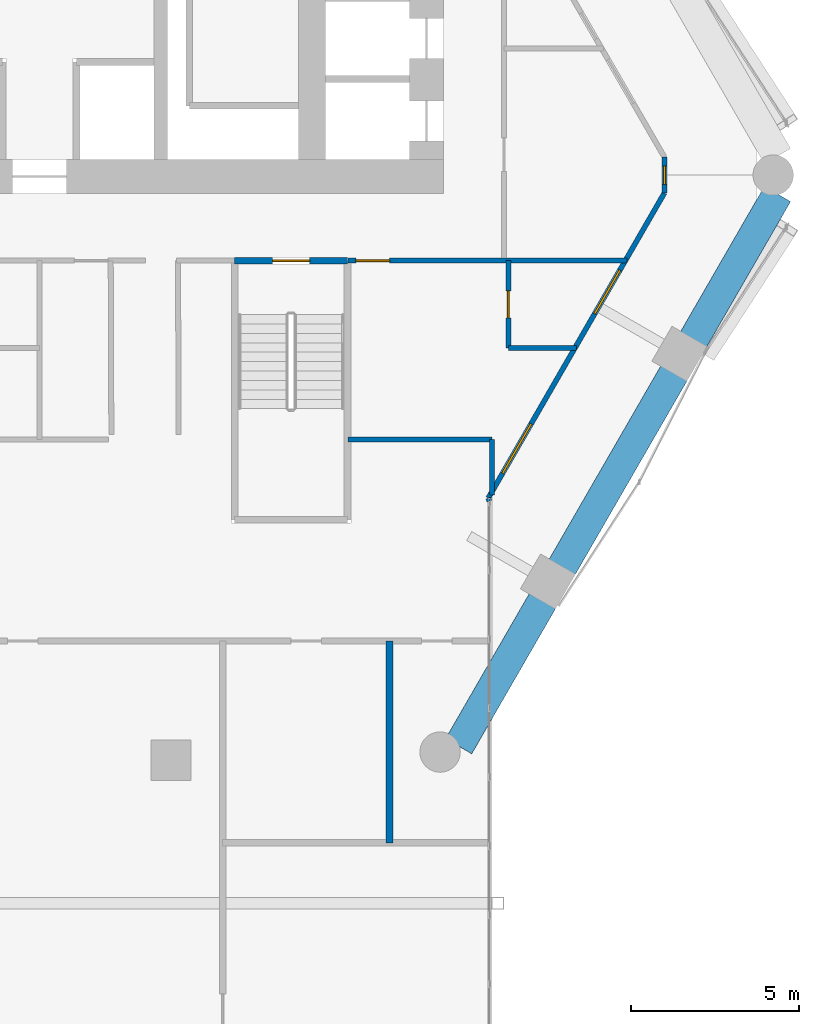
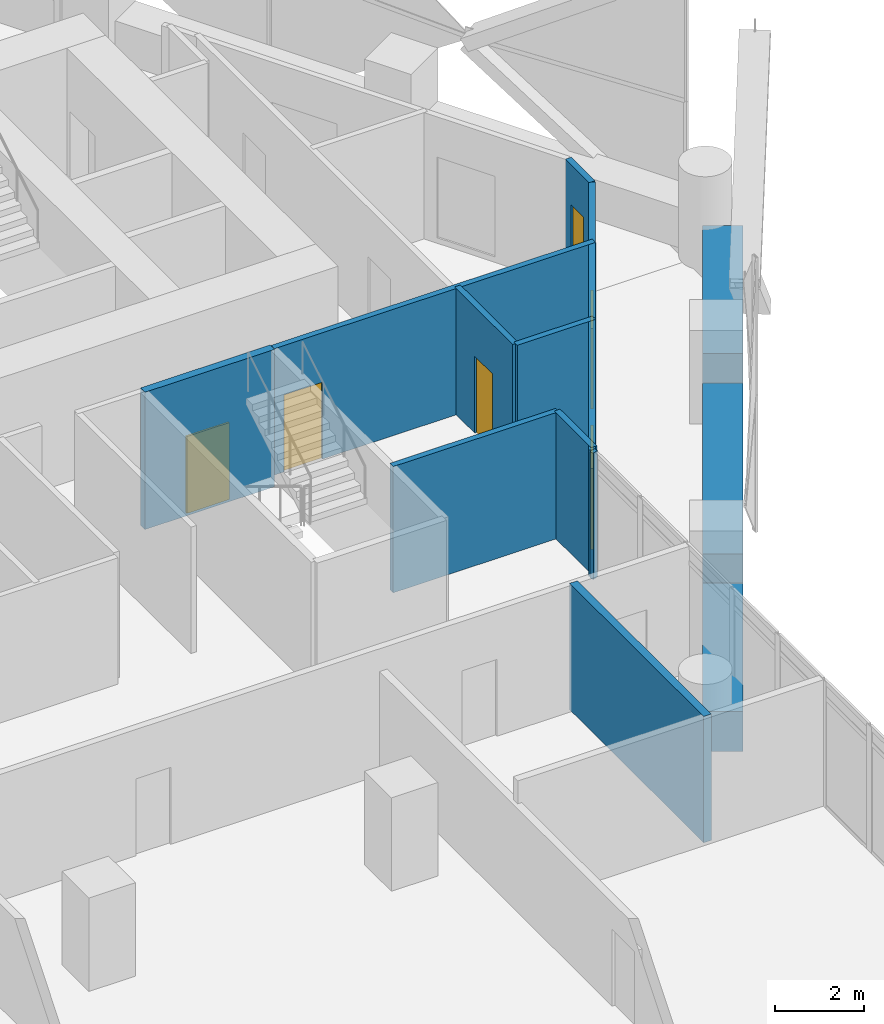
# One storey, part 28 of 36: 13 walls, 3 doors, 3 windows, 6 openings.
"""IFC4 building model written with IfcOpenShell, lengths in metres."""

from ifc_helpers import new_model, si_unit, direction, frame, frame_2d, origin, place, context, subcontext, project, spatial, rectangle, extrude, material, layer, layer_set, type_object, element, fill, save


model = new_model("IFC4")

# Units and contexts
model_context = context("Model", 3, precision=1e-05, world=origin(), true_north=direction((0.0, 1.0)))
body_context = subcontext(model_context, "Body", "Model", "MODEL_VIEW")
ifc_project = project(units=[si_unit("LENGTHUNIT", "METRE"), si_unit("AREAUNIT", "SQUARE_METRE"), si_unit("VOLUMEUNIT", "CUBIC_METRE"), si_unit("PLANEANGLEUNIT", "RADIAN"), si_unit("MASSUNIT", "GRAM", prefix="KILO")], contexts=[model_context])

# Site, building, storey
site_placement = place(None, origin())
site = spatial("IfcSite", under=ifc_project, at=site_placement, CompositionType="ELEMENT")
building_placement = place(site_placement, origin())
building = spatial("IfcBuilding", under=site, at=building_placement, Name="Ostrander Bayou Hotel Tower", CompositionType="ELEMENT")
storey_placement = place(building_placement, frame((0.0, 0.0, 138.5)))
storey = spatial("IfcBuildingStorey", under=building, at=storey_placement, Name="L34", CompositionType="ELEMENT", Elevation=138.5)

# Wall, openings, windows
ifc_material_1 = material(Name="Aluminium framed insulated wall", Category="aluminium")
ifc_layer_1 = layer(ifc_material_1, 0.14990234375)
ifc_layer_set_1 = layer_set([ifc_layer_1], Name="GW1 glass-line wall 150 mm")
wall_type_1 = type_object("IfcWallType", Name="GW1 glass-line wall 150 mm", PredefinedType="SOLIDWALL", material=ifc_layer_set_1)
wall_1_placement = place(storey_placement, frame((13.333984375, -10.7548828125, 0.0), z_axis=(0.0, 0.0, 1.0), x_axis=(0.499994317138, 0.866028684761, 0.0)))
wall_1 = element("IfcWall", 1, at=wall_1_placement, inside=storey, type_object=wall_type_1, Name="GW1 L34 SE 1", PredefinedType="SOLIDWALL", context=body_context, shape_type="SweptSolid", body=[
    extrude(rectangle(XDim=10.46826171875, YDim=0.14990234375, at=frame_2d((5.234130859375, 0.0))), origin(), (0.0, 0.0, 1.0), 3.449951171875),
])
opening_1_placement = place(wall_1_placement, frame((0.84716796875, 0.0, 0.14990234375)))
opening_1 = element("IfcOpeningElement", 2, at=opening_1_placement, cuts=wall_1, Name="Opening W8", PredefinedType="OPENING", context=body_context, shape_type="SweptSolid", body=[
    extrude(rectangle(XDim=1.699951171875, YDim=2.199951171875, at=frame_2d((0.85009765625, 1.10009765625))), frame((0.0, 0.074951171875, 0.0), z_axis=(0.0, -1.0, 0.0), x_axis=(1.0, 0.0, 0.0)), (0.0, 0.0, 1.0), 0.14990234375),
])
opening_2_placement = place(wall_1_placement, frame((6.322265625, 0.0, 0.14990234375)))
opening_2 = element("IfcOpeningElement", 3, at=opening_2_placement, cuts=wall_1, Name="Opening W12", PredefinedType="OPENING", context=body_context, shape_type="SweptSolid", body=[
    extrude(rectangle(XDim=1.5, YDim=2.199951171875, at=frame_2d((0.75, 1.10009765625))), frame((0.0, 0.074951171875, 0.0), z_axis=(0.0, -1.0, 0.0), x_axis=(1.0, 0.0, 0.0)), (0.0, 0.0, 1.0), 0.14990234375),
])
ifc_material_2 = material(Name="Aluminium and clear glass", Category="aluminium")
window_type_1 = type_object("IfcWindowType", Name="W12 fixed window 1500 mm, bath bay, zone 2", PartitioningType="SINGLE_PANEL", PredefinedType="WINDOW", material=ifc_material_2)
window_1_placement = place(opening_2_placement, origin())
window_1 = element("IfcWindow", 4, at=window_1_placement, inside=storey, type_object=window_type_1, Name="W12 L34 SE 3", OverallHeight=2.199951171875, OverallWidth=1.5, PartitioningType="SINGLE_PANEL", PredefinedType="WINDOW", context=body_context, shape_type="SweptSolid", body=[
    extrude(rectangle(XDim=1.5, YDim=2.199951171875, at=frame_2d((0.75, 1.10009765625))), frame((0.0, 0.030029296875, 0.0), z_axis=(0.0, -1.0, 0.0), x_axis=(1.0, 0.0, 0.0)), (0.0, 0.0, 1.0), 0.06005859375),
])
fill(opening_2, window_1)
ifc_material_3 = material(Name="Aluminium and clear glass", Category="aluminium")
window_type_2 = type_object("IfcWindowType", Name="W8 fixed window 1700 mm, bar storeys, zone 2", PartitioningType="SINGLE_PANEL", PredefinedType="WINDOW", material=ifc_material_3)
window_2_placement = place(opening_1_placement, origin())
window_2 = element("IfcWindow", 5, at=window_2_placement, inside=storey, type_object=window_type_2, Name="W8 L34 SE 2", OverallHeight=2.199951171875, OverallWidth=1.699951171875, PartitioningType="SINGLE_PANEL", PredefinedType="WINDOW", context=body_context, shape_type="SweptSolid", body=[
    extrude(rectangle(XDim=1.699951171875, YDim=2.199951171875, at=frame_2d((0.85009765625, 1.10009765625))), frame((0.0, 0.030029296875, 0.0), z_axis=(0.0, -1.0, 0.0), x_axis=(1.0, 0.0, 0.0)), (0.0, 0.0, 1.0), 0.06005859375),
])
fill(opening_1, window_2)

# Wall, opening, window
wall_2_placement = place(storey_placement, frame((18.568115234375, -1.68896484375, 0.0), z_axis=(0.0, 0.0, 1.0), x_axis=(0.0, 1.0, 0.0)))
wall_2 = element("IfcWall", 6, at=wall_2_placement, inside=storey, type_object=wall_type_1, Name="GW1 L34 corner 5", PredefinedType="SOLIDWALL", context=body_context, shape_type="SweptSolid", body=[
    extrude(rectangle(XDim=1.06494140625, YDim=0.14990234375, at=frame_2d((0.532470703125, 0.0))), origin(), (0.0, 0.0, 1.0), 3.449951171875),
])
opening_3_placement = place(wall_2_placement, frame((0.257568359375, 0.0, 0.14990234375)))
opening_3 = element("IfcOpeningElement", 7, at=opening_3_placement, cuts=wall_2, Name="Opening W19", PredefinedType="OPENING", context=body_context, shape_type="SweptSolid", body=[
    extrude(rectangle(XDim=0.550048828125, YDim=2.199951171875, at=frame_2d((0.27490234375, 1.10009765625))), frame((0.0, 0.074951171875, 0.0), z_axis=(0.0, -1.0, 0.0), x_axis=(1.0, 0.0, 0.0)), (0.0, 0.0, 1.0), 0.14990234375),
])
ifc_material_4 = material(Name="Aluminium and clear glass", Category="aluminium")
window_type_3 = type_object("IfcWindowType", Name="W19 corner window 550 mm", PartitioningType="SINGLE_PANEL", PredefinedType="WINDOW", material=ifc_material_4)
window_3_placement = place(opening_3_placement, origin())
window_3 = element("IfcWindow", 8, at=window_3_placement, inside=storey, type_object=window_type_3, Name="W19 L34 corner 5", OverallHeight=2.199951171875, OverallWidth=0.550048828125, PartitioningType="SINGLE_PANEL", PredefinedType="WINDOW", context=body_context, shape_type="SweptSolid", body=[
    extrude(rectangle(XDim=0.550048828125, YDim=2.199951171875, at=frame_2d((0.27490234375, 1.10009765625))), frame((0.0, 0.030029296875, 0.0), z_axis=(0.0, -1.0, 0.0), x_axis=(1.0, 0.0, 0.0)), (0.0, 0.0, 1.0), 0.06005859375),
])
fill(opening_3, window_3)

# Walls
wall_3_placement = place(storey_placement, frame((13.333984375, -10.7548828125, 0.0), z_axis=(0.0, 0.0, 1.0), x_axis=(0.337751931921, -0.941235163221, 0.0)))
element("IfcWall", 9, at=wall_3_placement, inside=storey, type_object=wall_type_1, Name="GW1 L34 bar joint 2", PredefinedType="SOLIDWALL", context=body_context, shape_type="SweptSolid", body=[
    extrude(rectangle(XDim=0.098388671875, YDim=0.14990234375, at=frame_2d((0.04931640625, 0.0))), origin(), (0.0, 0.0, 1.0), 3.449951171875),
])
ifc_material_5 = material(Name="Limestone masonry", Category="masonry")
ifc_layer_2 = layer(ifc_material_5, 0.89990234375)
ifc_layer_set_2 = layer_set([ifc_layer_2], Name="PA2 limestone parapet 900 mm")
wall_type_2 = type_object("IfcWallType", Name="PA2 limestone parapet 900 mm", PredefinedType="PARAPET", material=ifc_layer_set_2)
wall_4_placement = place(storey_placement, frame((12.45361328125, -18.1298828125, 0.0), z_axis=(0.0, 0.0, 1.0), x_axis=(0.499974782844, 0.866039962427, 0.0)))
element("IfcWall", 10, at=wall_4_placement, inside=storey, type_object=wall_type_2, Name="PA2 L34 SE-1", PredefinedType="PARAPET", context=body_context, shape_type="SweptSolid", body=[
    extrude(rectangle(XDim=4.997314453125, YDim=0.89990234375, at=frame_2d((2.49853515625, 0.0))), origin(), (0.0, 0.0, 1.0), 1.10009765625),
])
wall_5_placement = place(storey_placement, frame((15.522216796875, -12.814697265625, 0.0), z_axis=(0.0, 0.0, 1.0), x_axis=(0.499999023957, 0.866025967302, 0.0)))
element("IfcWall", 11, at=wall_5_placement, inside=storey, type_object=wall_type_2, Name="PA2 L34 SE-2", PredefinedType="PARAPET", context=body_context, shape_type="SweptSolid", body=[
    extrude(rectangle(XDim=6.67333984375, YDim=0.89990234375, at=frame_2d((3.336669921875, 0.0))), origin(), (0.0, 0.0, 1.0), 1.10009765625),
])
wall_6_placement = place(storey_placement, frame((19.428955078125, -6.048095703125, 0.0), z_axis=(0.0, 0.0, 1.0), x_axis=(0.500011423449, 0.866018808352, 0.0)))
element("IfcWall", 12, at=wall_6_placement, inside=storey, type_object=wall_type_2, Name="PA2 L34 SE-3", PredefinedType="PARAPET", context=body_context, shape_type="SweptSolid", body=[
    extrude(rectangle(XDim=4.99755859375, YDim=0.89990234375, at=frame_2d((2.498779296875, 0.0))), origin(), (0.0, 0.0, 1.0), 1.10009765625),
])
ifc_material_6 = material(Name="Gypsum board partition", Category="finish")
ifc_layer_3 = layer(ifc_material_6, 0.199951171875)
ifc_layer_set_3 = layer_set([ifc_layer_3], Name="PT3 demising wall 200 mm acoustic double stud, 1 hour")
wall_type_3 = type_object("IfcWallType", Name="PT3 demising wall 200 mm acoustic double stud, 1 hour", PredefinedType="PARTITIONING", material=ifc_layer_set_3)
wall_7_placement = place(storey_placement, frame((10.402099609375, -21.0, 0.0), z_axis=(0.0, 0.0, 1.0), x_axis=(0.0, 1.0, 0.0)))
element("IfcWall", 13, at=wall_7_placement, inside=storey, type_object=wall_type_3, Name="sw:L34:511", PredefinedType="PARTITIONING", context=body_context, shape_type="SweptSolid", body=[
    extrude(rectangle(XDim=6.0, YDim=0.199951171875, at=frame_2d((3.0, 0.0))), origin(), (0.0, 0.0, 1.0), 3.449951171875),
])
ifc_material_7 = material(Name="Gypsum board partition", Category="finish")
ifc_layer_4 = layer(ifc_material_7, 0.14990234375)
ifc_layer_set_4 = layer_set([ifc_layer_4], Name="PT8 service band wall 150 mm, 1 hour")
wall_type_4 = type_object("IfcWallType", Name="PT8 service band wall 150 mm, 1 hour", PredefinedType="PARTITIONING", material=ifc_layer_set_4)
wall_8_placement = place(storey_placement, frame((9.159912109375, -9.010009765625, 0.0), z_axis=(0.0, 0.0, 1.0), x_axis=(1.0, 0.0, 0.0)))
element("IfcWall", 14, at=wall_8_placement, inside=storey, type_object=wall_type_4, Name="gw:L34:003", PredefinedType="PARTITIONING", context=body_context, shape_type="SweptSolid", body=[
    extrude(rectangle(XDim=4.280029296875, YDim=0.14990234375, at=frame_2d((2.14013671875, 0.0))), origin(), (0.0, 0.0, 1.0), 3.449951171875),
])
wall_9_placement = place(storey_placement, frame((13.929931640625, -6.300048828125, 0.0), z_axis=(0.0, 0.0, 1.0), x_axis=(1.0, 0.0, 0.0)))
element("IfcWall", 15, at=wall_9_placement, inside=storey, type_object=wall_type_4, Name="gw:L34:006", PredefinedType="PARTITIONING", context=body_context, shape_type="SweptSolid", body=[
    extrude(rectangle(XDim=2.028076171875, YDim=0.14990234375, at=frame_2d((1.01416015625, 0.0))), origin(), (0.0, 0.0, 1.0), 3.449951171875),
])

# Wall, opening, door
wall_10_placement = place(storey_placement, frame((9.159912109375, -3.699951171875, 0.0), z_axis=(0.0, 0.0, 1.0), x_axis=(1.0, 0.0, 0.0)))
wall_10 = element("IfcWall", 16, at=wall_10_placement, inside=storey, type_object=wall_type_4, Name="gw:L34:010", PredefinedType="PARTITIONING", context=body_context, shape_type="SweptSolid", body=[
    extrude(rectangle(XDim=8.299072265625, YDim=0.14990234375, at=frame_2d((4.1494140625, 0.0))), origin(), (0.0, 0.0, 1.0), 3.449951171875),
])
opening_4_placement = place(wall_10_placement, frame((0.239990234375, 0.0, 0.0)))
opening_4 = element("IfcOpeningElement", 17, at=opening_4_placement, cuts=wall_10, Name="Opening T34-406", PredefinedType="OPENING", context=body_context, shape_type="SweptSolid", body=[
    extrude(rectangle(XDim=1.0, YDim=2.10009765625, at=frame_2d((0.5, 1.050048828125))), frame((0.0, 0.074951171875, 0.0), z_axis=(0.0, -1.0, 0.0), x_axis=(1.0, 0.0, 0.0)), (0.0, 0.0, 1.0), 0.14990234375),
])
ifc_material_8 = material(Name="Timber door leaf", Category="wood")
door_type_1 = type_object("IfcDoorType", Name="D1 guest room door 1000 x 2100 mm, 30 minute", OperationType="SINGLE_SWING_LEFT", PredefinedType="DOOR", material=ifc_material_8)
door_1_placement = place(opening_4_placement, origin())
door_1 = element("IfcDoor", 18, at=door_1_placement, inside=storey, type_object=door_type_1, Name="dr:L34:406", OperationType="SINGLE_SWING_LEFT", OverallHeight=2.10009765625, OverallWidth=1.0, PredefinedType="DOOR", context=body_context, shape_type="SweptSolid", body=[
    extrude(rectangle(XDim=1.0, YDim=2.10009765625, at=frame_2d((0.5, 1.050048828125))), frame((0.0, 0.02490234375, 0.0), z_axis=(0.0, -1.0, 0.0), x_axis=(1.0, 0.0, 0.0)), (0.0, 0.0, 1.0), 0.050048828125),
])
fill(opening_4, door_1)

wall_11_placement = place(storey_placement, frame((13.929931640625, -6.300048828125, 0.0), z_axis=(0.0, 0.0, 1.0), x_axis=(0.0, 1.0, 0.0)))
wall_11 = element("IfcWall", 19, at=wall_11_placement, inside=storey, type_object=wall_type_4, Name="gw:L34:016", PredefinedType="PARTITIONING", context=body_context, shape_type="SweptSolid", body=[
    extrude(rectangle(XDim=2.60009765625, YDim=0.14990234375, at=frame_2d((1.300048828125, 0.0))), origin(), (0.0, 0.0, 1.0), 3.449951171875),
])
opening_5_placement = place(wall_11_placement, frame((0.89990234375, 0.0, 0.0)))
opening_5 = element("IfcOpeningElement", 20, at=opening_5_placement, cuts=wall_11, Name="Opening T34-407", PredefinedType="OPENING", context=body_context, shape_type="SweptSolid", body=[
    extrude(rectangle(XDim=0.800048828125, YDim=2.10009765625, at=frame_2d((0.39990234375, 1.050048828125))), frame((0.0, 0.074951171875, 0.0), z_axis=(0.0, -1.0, 0.0), x_axis=(1.0, 0.0, 0.0)), (0.0, 0.0, 1.0), 0.14990234375),
])
ifc_material_9 = material(Name="Timber door leaf", Category="wood")
door_type_2 = type_object("IfcDoorType", Name="D2 bathroom door 800 x 2100 mm", OperationType="SINGLE_SWING_LEFT", PredefinedType="DOOR", material=ifc_material_9)
door_2_placement = place(opening_5_placement, origin())
door_2 = element("IfcDoor", 21, at=door_2_placement, inside=storey, type_object=door_type_2, Name="dr:L34:407", OperationType="SINGLE_SWING_RIGHT", OverallHeight=2.10009765625, OverallWidth=0.800048828125, PredefinedType="DOOR", context=body_context, shape_type="SweptSolid", body=[
    extrude(rectangle(XDim=0.800048828125, YDim=2.10009765625, at=frame_2d((0.39990234375, 1.050048828125))), frame((0.0, 0.02490234375, 0.0), z_axis=(0.0, -1.0, 0.0), x_axis=(1.0, 0.0, 0.0)), (0.0, 0.0, 1.0), 0.050048828125),
])
fill(opening_5, door_2)

# Wall
wall_12_placement = place(storey_placement, frame((13.43994140625, -10.660888671875, 0.0), z_axis=(0.0, 0.0, 1.0), x_axis=(0.0, 1.0, 0.0)))
element("IfcWall", 22, at=wall_12_placement, inside=storey, type_object=wall_type_4, Name="gw:L34:018", PredefinedType="PARTITIONING", context=body_context, shape_type="SweptSolid", body=[
    extrude(rectangle(XDim=1.65087890625, YDim=0.14990234375, at=frame_2d((0.825439453125, 0.0))), origin(), (0.0, 0.0, 1.0), 3.449951171875),
])

# Wall, opening, door
ifc_material_10 = material(Name="Concrete f'c 45 MPa", Category="concrete")
ifc_layer_5 = layer(ifc_material_10, 0.199951171875)
ifc_layer_set_5 = layer_set([ifc_layer_5], Name="SW5 stair enclosure wall 200 mm f'c 45 MPa")
wall_type_5 = type_object("IfcWallType", Name="SW5 stair enclosure wall 200 mm f'c 45 MPa", PredefinedType="SOLIDWALL", material=ifc_layer_set_5)
wall_13_placement = place(storey_placement, frame((5.800048828125, -3.699951171875, -0.300048828125), z_axis=(0.0, 0.0, 1.0), x_axis=(1.0, 0.0, 0.0)))
wall_13 = element("IfcWall", 23, at=wall_13_placement, inside=storey, type_object=wall_type_5, Name="cs:L34:013", PredefinedType="SOLIDWALL", context=body_context, shape_type="SweptSolid", body=[
    extrude(rectangle(XDim=3.349853515625, YDim=0.199951171875, at=frame_2d((1.6748046875, 0.0))), origin(), (0.0, 0.0, 1.0), 3.75),
])
opening_6_placement = place(wall_13_placement, frame((1.125, 0.0, 0.0)))
opening_6 = element("IfcOpeningElement", 24, at=opening_6_placement, cuts=wall_13, Name="Opening T34-007", PredefinedType="OPENING", context=body_context, shape_type="SweptSolid", body=[
    extrude(rectangle(XDim=1.10009765625, YDim=2.10009765625, at=frame_2d((0.550048828125, 1.050048828125))), frame((0.0, 0.10009765625, 0.0), z_axis=(0.0, -1.0, 0.0), x_axis=(1.0, 0.0, 0.0)), (0.0, 0.0, 1.0), 0.199951171875),
])
ifc_material_11 = material(Name="Timber door leaf", Category="wood")
door_type_3 = type_object("IfcDoorType", Name="D5 stair door 1100 x 2100 mm, 90 minute", OperationType="SINGLE_SWING_LEFT", PredefinedType="DOOR", material=ifc_material_11)
door_3_placement = place(opening_6_placement, origin())
door_3 = element("IfcDoor", 25, at=door_3_placement, inside=storey, type_object=door_type_3, Name="dr:L34:007", OperationType="SINGLE_SWING_LEFT", OverallHeight=2.10009765625, OverallWidth=1.10009765625, PredefinedType="DOOR", context=body_context, shape_type="SweptSolid", body=[
    extrude(rectangle(XDim=1.10009765625, YDim=2.10009765625, at=frame_2d((0.550048828125, 1.050048828125))), frame((0.0, 0.02490234375, 0.0), z_axis=(0.0, -1.0, 0.0), x_axis=(1.0, 0.0, 0.0)), (0.0, 0.0, 1.0), 0.050048828125),
])
fill(opening_6, door_3)

save(model, "model.ifc")
